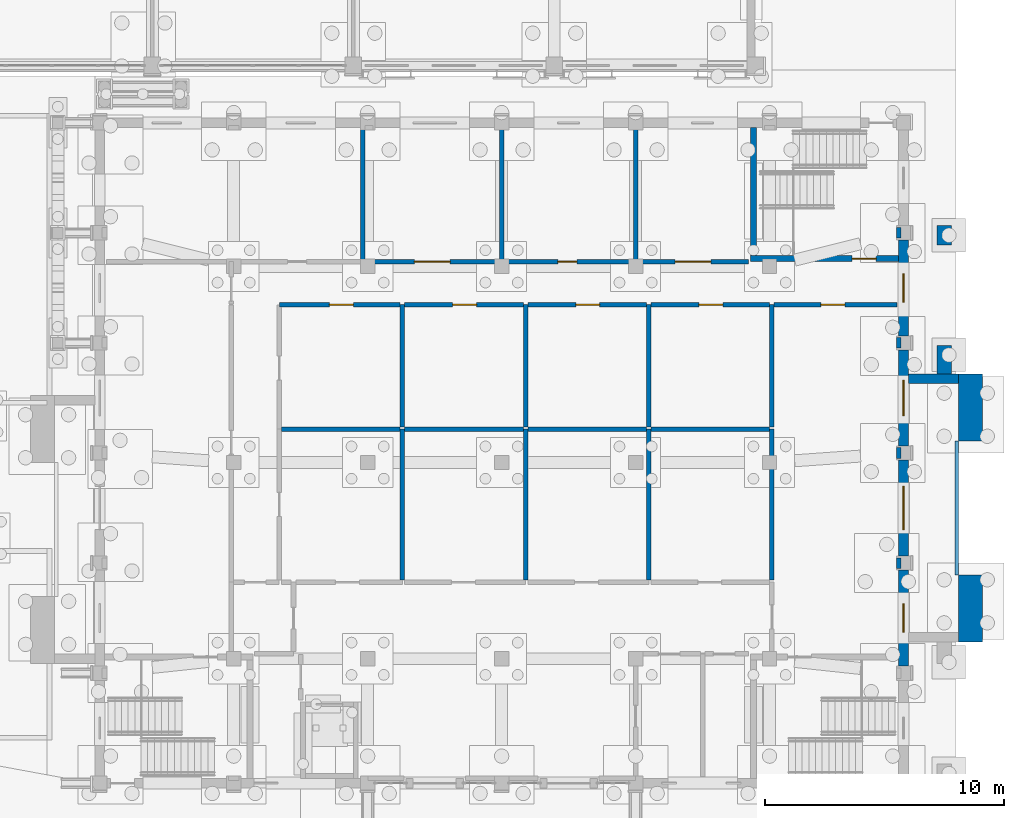
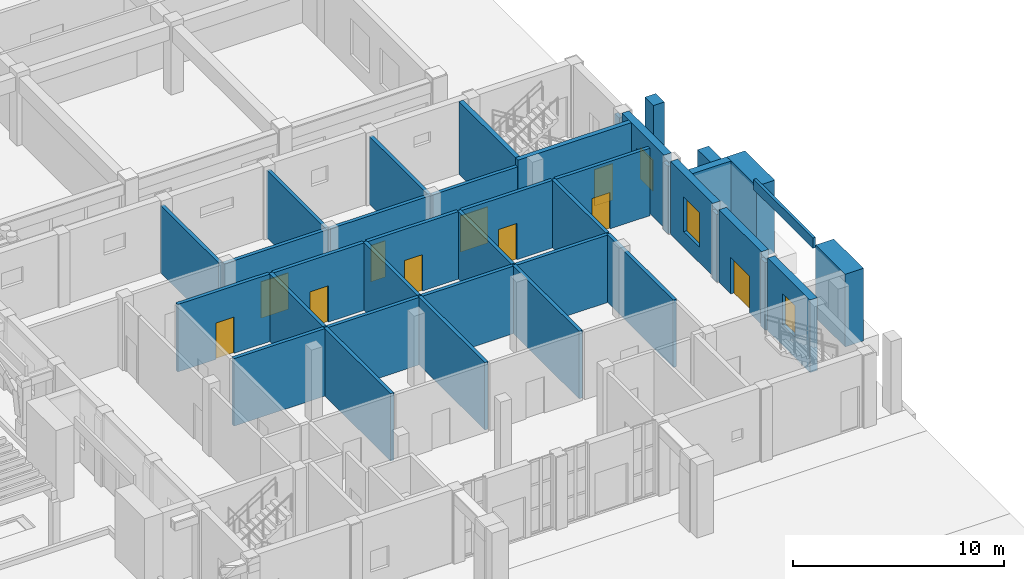
# One storey, part 76 of 112: 39 walls, 10 doors, 3 windows, 13 openings.
"""IFC4 building model written with IfcOpenShell, lengths in metres."""

from ifc_helpers import new_model, si_unit, direction, frame, frame_2d, origin, place, context, subcontext, project, spatial, rectangle, extrude, material, layer, layer_set, type_object, element, fill, save


model = new_model("IFC4")

# Units and contexts
model_context = context("Model", 3, precision=1e-05, world=origin(), true_north=direction((0.0, 1.0)))
body_context = subcontext(model_context, "Body", "Model", "MODEL_VIEW")
ifc_project = project(units=[si_unit("LENGTHUNIT", "METRE"), si_unit("AREAUNIT", "SQUARE_METRE"), si_unit("VOLUMEUNIT", "CUBIC_METRE"), si_unit("PLANEANGLEUNIT", "RADIAN"), si_unit("MASSUNIT", "GRAM", prefix="KILO")], contexts=[model_context])

# Site, building, storey
site_placement = place(None, origin())
site = spatial("IfcSite", under=ifc_project, at=site_placement, CompositionType="ELEMENT")
building_placement = place(site_placement, origin())
building = spatial("IfcBuilding", under=site, at=building_placement, Name="Wasatch Bagh Community Centre", CompositionType="ELEMENT")
storey_placement = place(building_placement, origin())
storey = spatial("IfcBuildingStorey", under=building, at=storey_placement, Name="L00", CompositionType="ELEMENT", Elevation=0.0)

# Walls
ifc_material_1 = material(Name="Concrete C35", Category="concrete")
ifc_layer_1 = layer(ifc_material_1, 0.14990234375)
ifc_layer_set_1 = layer_set([ifc_layer_1], Name="Concrete C35")
wall_type_1 = type_object("IfcWallType", Name="CL-W2", PredefinedType="PARAPET", material=ifc_layer_set_1)
wall_1_placement = place(storey_placement, frame((148.02490234375, 52.5, 4.050048828125), z_axis=(0.0, 0.0, 1.0), x_axis=(0.0, -1.0, 0.0)))
element("IfcWall", 1, at=wall_1_placement, inside=storey, type_object=wall_type_1, Name="CL-W2 porch parapet", PredefinedType="PARAPET", context=body_context, shape_type="SweptSolid", body=[
    extrude(rectangle(XDim=5.60009765625, YDim=0.14990234375, at=frame_2d((2.800048828125, 0.0))), origin(), (0.0, 0.0, 1.0), 0.599853515625),
])
ifc_material_2 = material(Name="Concrete C40", Category="concrete")
ifc_layer_2 = layer(ifc_material_2, 0.25)
ifc_layer_set_2 = layer_set([ifc_layer_2], Name="Concrete C40")
wall_type_2 = type_object("IfcWallType", Name="SH RC WALL 250 shear", PredefinedType="SHEAR", material=ifc_layer_set_2)
wall_2_placement = place(storey_placement, frame((139.52490234375, 60.25, 0.0), z_axis=(0.0, 0.0, 1.0), x_axis=(0.0, 1.0, 0.0)))
element("IfcWall", 2, at=wall_2_placement, inside=storey, type_object=wall_type_2, Name="SH.core.ST3.L00.W", PredefinedType="SHEAR", context=body_context, shape_type="SweptSolid", body=[
    extrude(rectangle(XDim=5.35009765625, YDim=0.25, at=frame_2d((2.675048828125, 0.0))), origin(), (0.0, 0.0, 1.0), 4.199951171875),
])

# Wall, opening, door
wall_3_placement = place(storey_placement, frame((139.39990234375, 60.125, 0.0), z_axis=(0.0, 0.0, 1.0), x_axis=(1.0, 0.0, 0.0)))
wall_3 = element("IfcWall", 3, at=wall_3_placement, inside=storey, type_object=wall_type_2, Name="SH.core.ST3.L00.S", PredefinedType="SHEAR", context=body_context, shape_type="SweptSolid", body=[
    extrude(rectangle(XDim=6.2001953125, YDim=0.25, at=frame_2d((3.10009765625, 0.0))), origin(), (0.0, 0.0, 1.0), 4.199951171875),
])
opening_1_placement = place(wall_3_placement, frame((4.25, 0.0, 0.0)))
opening_1 = element("IfcOpeningElement", 4, at=opening_1_placement, cuts=wall_3, Name="Opening 0S-28", PredefinedType="OPENING", context=body_context, shape_type="SweptSolid", body=[
    extrude(rectangle(XDim=1.0, YDim=2.10009765625, at=frame_2d((0.5, 1.050048828125))), frame((0.0, 0.135009765625, 0.0), z_axis=(0.0, -1.0, 0.0), x_axis=(1.0, 0.0, 0.0)), (0.0, 0.0, 1.0), 0.27001953125),
])
ifc_material_3 = material(Name="Painted hardwood timber", Category="wood")
door_type_1 = type_object("IfcDoorType", Name="SH door 1000x2100 single", OperationType="SINGLE_SWING_LEFT", PredefinedType="DOOR", material=ifc_material_3)
door_1_placement = place(opening_1_placement, origin())
door_1 = element("IfcDoor", 5, at=door_1_placement, inside=storey, type_object=door_type_1, Name="SH.door.L00.0S-28", OperationType="SINGLE_SWING_LEFT", OverallHeight=2.10009765625, OverallWidth=1.0, PredefinedType="DOOR", context=body_context, shape_type="SweptSolid", body=[
    extrude(rectangle(XDim=1.0, YDim=2.10009765625, at=frame_2d((0.5, 1.050048828125))), frame((0.0, 0.02490234375, 0.0), z_axis=(0.0, -1.0, 0.0), x_axis=(1.0, 0.0, 0.0)), (0.0, 0.0, 1.0), 0.050048828125),
])
fill(opening_1, door_1)

# Wall, opening, window
ifc_layer_3 = layer(ifc_material_2, 0.39990234375)
ifc_layer_set_3 = layer_set([ifc_layer_3], Name="Concrete C40")
wall_type_3 = type_object("IfcWallType", Name="SH RC WALL 400 solidwall", PredefinedType="SOLIDWALL", material=ifc_layer_set_3)
wall_4_placement = place(storey_placement, frame((145.800048828125, 43.10009765625, 0.0), z_axis=(0.0, 0.0, 1.0), x_axis=(0.0, 1.0, 0.0)))
wall_4 = element("IfcWall", 6, at=wall_4_placement, inside=storey, type_object=wall_type_3, Name="SH.wall.L00.20", PredefinedType="SOLIDWALL", context=body_context, shape_type="SweptSolid", body=[
    extrude(rectangle(XDim=4.0, YDim=0.39990234375, at=frame_2d((2.0, 0.0))), origin(), (0.0, 0.0, 1.0), 4.199951171875),
])
opening_2_placement = place(wall_4_placement, frame((1.39990234375, 0.0, 1.199951171875)))
opening_2 = element("IfcOpeningElement", 7, at=opening_2_placement, cuts=wall_4, Name="Opening 0S-W15", PredefinedType="OPENING", context=body_context, shape_type="SweptSolid", body=[
    extrude(rectangle(XDim=1.199951171875, YDim=1.800048828125, at=frame_2d((0.60009765625, 0.89990234375))), frame((0.0, 0.2099609375, 0.0), z_axis=(0.0, -1.0, 0.0), x_axis=(1.0, 0.0, 0.0)), (0.0, 0.0, 1.0), 0.419921875),
])
ifc_material_4 = material(Name="Aluminium frame with double glazing", Category="aluminium")
window_type_1 = type_object("IfcWindowType", Name="SH window 1200x1800", PartitioningType="SINGLE_PANEL", PredefinedType="WINDOW", material=ifc_material_4)
window_1_placement = place(opening_2_placement, origin())
window_1 = element("IfcWindow", 8, at=window_1_placement, inside=storey, type_object=window_type_1, Name="SH.window.L00.0S-W15", OverallHeight=1.800048828125, OverallWidth=1.199951171875, PartitioningType="SINGLE_PANEL", PredefinedType="WINDOW", context=body_context, shape_type="SweptSolid", body=[
    extrude(rectangle(XDim=1.199951171875, YDim=1.800048828125, at=frame_2d((0.60009765625, 0.89990234375))), frame((0.0, 0.030029296875, 0.0), z_axis=(0.0, -1.0, 0.0), x_axis=(1.0, 0.0, 0.0)), (0.0, 0.0, 1.0), 0.06005859375),
])
fill(opening_2, window_1)

# Wall, opening, door
wall_5_placement = place(storey_placement, frame((145.800048828125, 47.699951171875, 0.0), z_axis=(0.0, 0.0, 1.0), x_axis=(0.0, 1.0, 0.0)))
wall_5 = element("IfcWall", 9, at=wall_5_placement, inside=storey, type_object=wall_type_3, Name="SH.wall.L00.21", PredefinedType="SOLIDWALL", context=body_context, shape_type="SweptSolid", body=[
    extrude(rectangle(XDim=4.0, YDim=0.39990234375, at=frame_2d((2.0, 0.0))), origin(), (0.0, 0.0, 1.0), 4.199951171875),
])
opening_3_placement = place(wall_5_placement, frame((1.10009765625, 0.0, 0.0)))
opening_3 = element("IfcOpeningElement", 10, at=opening_3_placement, cuts=wall_5, Name="Opening 0S-07", PredefinedType="OPENING", context=body_context, shape_type="SweptSolid", body=[
    extrude(rectangle(XDim=1.800048828125, YDim=2.10009765625, at=frame_2d((0.89990234375, 1.050048828125))), frame((0.0, 0.2099609375, 0.0), z_axis=(0.0, -1.0, 0.0), x_axis=(1.0, 0.0, 0.0)), (0.0, 0.0, 1.0), 0.419921875),
])
ifc_material_5 = material(Name="Aluminium frame and glass", Category="aluminium")
door_type_2 = type_object("IfcDoorType", Name="SH door 1800x2100 double", OperationType="DOUBLE_DOOR_SINGLE_SWING", PredefinedType="DOOR", material=ifc_material_5)
door_2_placement = place(opening_3_placement, origin())
door_2 = element("IfcDoor", 11, at=door_2_placement, inside=storey, type_object=door_type_2, Name="SH.door.L00.0S-07", OperationType="DOUBLE_DOOR_SINGLE_SWING", OverallHeight=2.10009765625, OverallWidth=1.800048828125, PredefinedType="DOOR", context=body_context, shape_type="SweptSolid", body=[
    extrude(rectangle(XDim=1.800048828125, YDim=2.10009765625, at=frame_2d((0.89990234375, 1.050048828125))), frame((0.0, 0.02490234375, 0.0), z_axis=(0.0, -1.0, 0.0), x_axis=(1.0, 0.0, 0.0)), (0.0, 0.0, 1.0), 0.050048828125),
])
fill(opening_3, door_2)

# Wall, opening, window
wall_6_placement = place(storey_placement, frame((145.800048828125, 52.300048828125, 0.0), z_axis=(0.0, 0.0, 1.0), x_axis=(0.0, 1.0, 0.0)))
wall_6 = element("IfcWall", 12, at=wall_6_placement, inside=storey, type_object=wall_type_3, Name="SH.wall.L00.22", PredefinedType="SOLIDWALL", context=body_context, shape_type="SweptSolid", body=[
    extrude(rectangle(XDim=4.0, YDim=0.39990234375, at=frame_2d((2.0, 0.0))), origin(), (0.0, 0.0, 1.0), 4.199951171875),
])
opening_4_placement = place(wall_6_placement, frame((1.25, 0.0, 0.89990234375)))
opening_4 = element("IfcOpeningElement", 13, at=opening_4_placement, cuts=wall_6, Name="Opening 0S-W16", PredefinedType="OPENING", context=body_context, shape_type="SweptSolid", body=[
    extrude(rectangle(XDim=1.5, YDim=2.0, at=frame_2d((0.75, 1.0))), frame((0.0, 0.2099609375, 0.0), z_axis=(0.0, -1.0, 0.0), x_axis=(1.0, 0.0, 0.0)), (0.0, 0.0, 1.0), 0.419921875),
])
window_type_2 = type_object("IfcWindowType", Name="SH window 1500x2000", PartitioningType="SINGLE_PANEL", PredefinedType="WINDOW", material=ifc_material_4)
window_2_placement = place(opening_4_placement, origin())
window_2 = element("IfcWindow", 14, at=window_2_placement, inside=storey, type_object=window_type_2, Name="SH.window.L00.0S-W16", OverallHeight=2.0, OverallWidth=1.5, PartitioningType="SINGLE_PANEL", PredefinedType="WINDOW", context=body_context, shape_type="SweptSolid", body=[
    extrude(rectangle(XDim=1.5, YDim=2.0, at=frame_2d((0.75, 1.0))), frame((0.0, 0.030029296875, 0.0), z_axis=(0.0, -1.0, 0.0), x_axis=(1.0, 0.0, 0.0)), (0.0, 0.0, 1.0), 0.06005859375),
])
fill(opening_4, window_2)

wall_7_placement = place(storey_placement, frame((145.800048828125, 56.89990234375, 0.0), z_axis=(0.0, 0.0, 1.0), x_axis=(0.0, 1.0, 0.0)))
wall_7 = element("IfcWall", 15, at=wall_7_placement, inside=storey, type_object=wall_type_3, Name="SH.wall.L00.23", PredefinedType="SOLIDWALL", context=body_context, shape_type="SweptSolid", body=[
    extrude(rectangle(XDim=4.0, YDim=0.39990234375, at=frame_2d((2.0, 0.0))), origin(), (0.0, 0.0, 1.0), 4.199951171875),
])
opening_5_placement = place(wall_7_placement, frame((1.39990234375, 0.0, 1.199951171875)))
opening_5 = element("IfcOpeningElement", 16, at=opening_5_placement, cuts=wall_7, Name="Opening 0S-W17", PredefinedType="OPENING", context=body_context, shape_type="SweptSolid", body=[
    extrude(rectangle(XDim=1.199951171875, YDim=1.800048828125, at=frame_2d((0.60009765625, 0.89990234375))), frame((0.0, 0.2099609375, 0.0), z_axis=(0.0, -1.0, 0.0), x_axis=(1.0, 0.0, 0.0)), (0.0, 0.0, 1.0), 0.419921875),
])
window_3_placement = place(opening_5_placement, origin())
window_3 = element("IfcWindow", 17, at=window_3_placement, inside=storey, type_object=window_type_1, Name="SH.window.L00.0S-W17", OverallHeight=1.800048828125, OverallWidth=1.199951171875, PartitioningType="SINGLE_PANEL", PredefinedType="WINDOW", context=body_context, shape_type="SweptSolid", body=[
    extrude(rectangle(XDim=1.199951171875, YDim=1.800048828125, at=frame_2d((0.60009765625, 0.89990234375))), frame((0.0, 0.030029296875, 0.0), z_axis=(0.0, -1.0, 0.0), x_axis=(1.0, 0.0, 0.0)), (0.0, 0.0, 1.0), 0.06005859375),
])
fill(opening_5, window_3)

# Walls
ifc_material_6 = material(Name="Hollow block masonry, medium weight (ASTM Grade N)", Category="masonry")
ifc_layer_4 = layer(ifc_material_6, 0.18994140625)
ifc_layer_set_4 = layer_set([ifc_layer_4], Name="Hollow block masonry, medium weight (ASTM Grade N)")
wall_type_4 = type_object("IfcWallType", Name="SH partition 190", PredefinedType="PARTITIONING", material=ifc_layer_set_4)
wall_8_placement = place(storey_placement, frame((123.199951171875, 60.094970703125, 0.0), z_axis=(0.0, 0.0, 1.0), x_axis=(0.0, 1.0, 0.0)))
element("IfcWall", 18, at=wall_8_placement, inside=storey, type_object=wall_type_4, Name="SH.part.L00.020", PredefinedType="PARTITIONING", context=body_context, shape_type="SweptSolid", body=[
    extrude(rectangle(XDim=5.505126953125, YDim=0.18994140625, at=frame_2d((2.75244140625, 0.0))), origin(), (0.0, 0.0, 1.0), 3.89990234375),
])
wall_9_placement = place(storey_placement, frame((124.7548828125, 53.0, 0.0), z_axis=(0.0, 0.0, 1.0), x_axis=(-1.0, 0.0, 0.0)))
element("IfcWall", 19, at=wall_9_placement, inside=storey, type_object=wall_type_4, Name="SH.part.L00.023", PredefinedType="PARTITIONING", context=body_context, shape_type="SweptSolid", body=[
    extrude(rectangle(XDim=4.9599609375, YDim=0.18994140625, at=frame_2d((2.47998046875, 0.0))), origin(), (0.0, 0.0, 1.0), 3.89990234375),
])

# Wall, opening, door
wall_10_placement = place(storey_placement, frame((124.7548828125, 58.199951171875, 0.0), z_axis=(0.0, 0.0, 1.0), x_axis=(-1.0, 0.0, 0.0)))
wall_10 = element("IfcWall", 20, at=wall_10_placement, inside=storey, type_object=wall_type_4, Name="SH.part.L00.024", PredefinedType="PARTITIONING", context=body_context, shape_type="SweptSolid", body=[
    extrude(rectangle(XDim=5.034912109375, YDim=0.18994140625, at=frame_2d((2.517578125, 0.0))), origin(), (0.0, 0.0, 1.0), 3.89990234375),
])
opening_6_placement = place(wall_10_placement, frame((1.955078125, 0.0, 0.0)))
opening_6 = element("IfcOpeningElement", 21, at=opening_6_placement, cuts=wall_10, Name="Opening 0S-24", PredefinedType="OPENING", context=body_context, shape_type="SweptSolid", body=[
    extrude(rectangle(XDim=1.0, YDim=2.10009765625, at=frame_2d((0.5, 1.050048828125))), frame((0.0, 0.10498046875, 0.0), z_axis=(0.0, -1.0, 0.0), x_axis=(1.0, 0.0, 0.0)), (0.0, 0.0, 1.0), 0.2099609375),
])
door_3_placement = place(opening_6_placement, origin())
door_3 = element("IfcDoor", 22, at=door_3_placement, inside=storey, type_object=door_type_1, Name="SH.door.L00.0S-24", OperationType="SINGLE_SWING_LEFT", OverallHeight=2.10009765625, OverallWidth=1.0, PredefinedType="DOOR", context=body_context, shape_type="SweptSolid", body=[
    extrude(rectangle(XDim=1.0, YDim=2.10009765625, at=frame_2d((0.5, 1.050048828125))), frame((0.0, 0.02490234375, 0.0), z_axis=(0.0, -1.0, 0.0), x_axis=(1.0, 0.0, 0.0)), (0.0, 0.0, 1.0), 0.050048828125),
])
fill(opening_6, door_3)

# Walls
wall_11_placement = place(storey_placement, frame((124.85009765625, 46.695068359375, 0.0), z_axis=(0.0, 0.0, 1.0), x_axis=(0.0, 1.0, 0.0)))
element("IfcWall", 23, at=wall_11_placement, inside=storey, type_object=wall_type_4, Name="SH.part.L00.026", PredefinedType="PARTITIONING", context=body_context, shape_type="SweptSolid", body=[
    extrude(rectangle(XDim=6.304931640625, YDim=0.18994140625, at=frame_2d((3.15234375, 0.0))), origin(), (0.0, 0.0, 1.0), 3.89990234375),
])
wall_12_placement = place(storey_placement, frame((124.85009765625, 53.094970703125, 0.0), z_axis=(0.0, 0.0, 1.0), x_axis=(0.0, 1.0, 0.0)))
element("IfcWall", 24, at=wall_12_placement, inside=storey, type_object=wall_type_4, Name="SH.part.L00.027", PredefinedType="PARTITIONING", context=body_context, shape_type="SweptSolid", body=[
    extrude(rectangle(XDim=5.10498046875, YDim=0.18994140625, at=frame_2d((2.552490234375, 0.0))), origin(), (0.0, 0.0, 1.0), 3.89990234375),
])

# Wall, opening, door
wall_13_placement = place(storey_placement, frame((129.0, 60.0, 0.0), z_axis=(0.0, 0.0, 1.0), x_axis=(-1.0, 0.0, 0.0)))
wall_13 = element("IfcWall", 25, at=wall_13_placement, inside=storey, type_object=wall_type_4, Name="SH.part.L00.029", PredefinedType="PARTITIONING", context=body_context, shape_type="SweptSolid", body=[
    extrude(rectangle(XDim=5.705078125, YDim=0.18994140625, at=frame_2d((2.8525390625, 0.0))), origin(), (0.0, 0.0, 1.0), 3.89990234375),
])
opening_7_placement = place(wall_13_placement, frame((2.14990234375, 0.0, 0.0)))
opening_7 = element("IfcOpeningElement", 26, at=opening_7_placement, cuts=wall_13, Name="Opening 0S-33", PredefinedType="OPENING", context=body_context, shape_type="SweptSolid", body=[
    extrude(rectangle(XDim=1.5, YDim=2.10009765625, at=frame_2d((0.75, 1.050048828125))), frame((0.0, 0.10498046875, 0.0), z_axis=(0.0, -1.0, 0.0), x_axis=(1.0, 0.0, 0.0)), (0.0, 0.0, 1.0), 0.2099609375),
])
door_type_3 = type_object("IfcDoorType", Name="SH door 1500x2100 double", OperationType="DOUBLE_DOOR_SINGLE_SWING", PredefinedType="DOOR", material=ifc_material_5)
door_4_placement = place(opening_7_placement, origin())
door_4 = element("IfcDoor", 27, at=door_4_placement, inside=storey, type_object=door_type_3, Name="SH.door.L00.0S-33", OperationType="DOUBLE_DOOR_SINGLE_SWING", OverallHeight=2.10009765625, OverallWidth=1.5, PredefinedType="DOOR", context=body_context, shape_type="SweptSolid", body=[
    extrude(rectangle(XDim=1.5, YDim=2.10009765625, at=frame_2d((0.75, 1.050048828125))), frame((0.0, 0.02490234375, 0.0), z_axis=(0.0, -1.0, 0.0), x_axis=(1.0, 0.0, 0.0)), (0.0, 0.0, 1.0), 0.050048828125),
])
fill(opening_7, door_4)

# Walls
wall_14_placement = place(storey_placement, frame((129.0, 60.094970703125, 0.0), z_axis=(0.0, 0.0, 1.0), x_axis=(0.0, 1.0, 0.0)))
element("IfcWall", 28, at=wall_14_placement, inside=storey, type_object=wall_type_4, Name="SH.part.L00.030", PredefinedType="PARTITIONING", context=body_context, shape_type="SweptSolid", body=[
    extrude(rectangle(XDim=5.505126953125, YDim=0.18994140625, at=frame_2d((2.75244140625, 0.0))), origin(), (0.0, 0.0, 1.0), 3.89990234375),
])
wall_15_placement = place(storey_placement, frame((129.905029296875, 53.0, 0.0), z_axis=(0.0, 0.0, 1.0), x_axis=(-1.0, 0.0, 0.0)))
element("IfcWall", 29, at=wall_15_placement, inside=storey, type_object=wall_type_4, Name="SH.part.L00.031", PredefinedType="PARTITIONING", context=body_context, shape_type="SweptSolid", body=[
    extrude(rectangle(XDim=4.9599609375, YDim=0.18994140625, at=frame_2d((2.47998046875, 0.0))), origin(), (0.0, 0.0, 1.0), 3.89990234375),
])

# Wall, opening, door
wall_16_placement = place(storey_placement, frame((129.905029296875, 58.199951171875, 0.0), z_axis=(0.0, 0.0, 1.0), x_axis=(-1.0, 0.0, 0.0)))
wall_16 = element("IfcWall", 30, at=wall_16_placement, inside=storey, type_object=wall_type_4, Name="SH.part.L00.032", PredefinedType="PARTITIONING", context=body_context, shape_type="SweptSolid", body=[
    extrude(rectangle(XDim=4.9599609375, YDim=0.18994140625, at=frame_2d((2.47998046875, 0.0))), origin(), (0.0, 0.0, 1.0), 3.89990234375),
])
opening_8_placement = place(wall_16_placement, frame((1.955078125, 0.0, 0.0)))
opening_8 = element("IfcOpeningElement", 31, at=opening_8_placement, cuts=wall_16, Name="Opening 0S-25", PredefinedType="OPENING", context=body_context, shape_type="SweptSolid", body=[
    extrude(rectangle(XDim=1.0, YDim=2.10009765625, at=frame_2d((0.5, 1.050048828125))), frame((0.0, 0.10498046875, 0.0), z_axis=(0.0, -1.0, 0.0), x_axis=(1.0, 0.0, 0.0)), (0.0, 0.0, 1.0), 0.2099609375),
])
door_5_placement = place(opening_8_placement, origin())
door_5 = element("IfcDoor", 32, at=door_5_placement, inside=storey, type_object=door_type_1, Name="SH.door.L00.0S-25", OperationType="SINGLE_SWING_LEFT", OverallHeight=2.10009765625, OverallWidth=1.0, PredefinedType="DOOR", context=body_context, shape_type="SweptSolid", body=[
    extrude(rectangle(XDim=1.0, YDim=2.10009765625, at=frame_2d((0.5, 1.050048828125))), frame((0.0, 0.02490234375, 0.0), z_axis=(0.0, -1.0, 0.0), x_axis=(1.0, 0.0, 0.0)), (0.0, 0.0, 1.0), 0.050048828125),
])
fill(opening_8, door_5)

# Walls
wall_17_placement = place(storey_placement, frame((130.0, 46.695068359375, 0.0), z_axis=(0.0, 0.0, 1.0), x_axis=(0.0, 1.0, 0.0)))
element("IfcWall", 33, at=wall_17_placement, inside=storey, type_object=wall_type_4, Name="SH.part.L00.034", PredefinedType="PARTITIONING", context=body_context, shape_type="SweptSolid", body=[
    extrude(rectangle(XDim=6.304931640625, YDim=0.18994140625, at=frame_2d((3.15234375, 0.0))), origin(), (0.0, 0.0, 1.0), 3.89990234375),
])
wall_18_placement = place(storey_placement, frame((130.0, 53.094970703125, 0.0), z_axis=(0.0, 0.0, 1.0), x_axis=(0.0, 1.0, 0.0)))
element("IfcWall", 34, at=wall_18_placement, inside=storey, type_object=wall_type_4, Name="SH.part.L00.035", PredefinedType="PARTITIONING", context=body_context, shape_type="SweptSolid", body=[
    extrude(rectangle(XDim=5.10498046875, YDim=0.18994140625, at=frame_2d((2.552490234375, 0.0))), origin(), (0.0, 0.0, 1.0), 3.89990234375),
])

# Wall, opening, door
wall_19_placement = place(storey_placement, frame((134.60009765625, 60.0, 0.0), z_axis=(0.0, 0.0, 1.0), x_axis=(-1.0, 0.0, 0.0)))
wall_19 = element("IfcWall", 35, at=wall_19_placement, inside=storey, type_object=wall_type_4, Name="SH.part.L00.038", PredefinedType="PARTITIONING", context=body_context, shape_type="SweptSolid", body=[
    extrude(rectangle(XDim=5.505126953125, YDim=0.18994140625, at=frame_2d((2.75244140625, 0.0))), origin(), (0.0, 0.0, 1.0), 3.89990234375),
])
opening_9_placement = place(wall_19_placement, frame((2.449951171875, 0.0, 0.0)))
opening_9 = element("IfcOpeningElement", 36, at=opening_9_placement, cuts=wall_19, Name="Opening 0S-34", PredefinedType="OPENING", context=body_context, shape_type="SweptSolid", body=[
    extrude(rectangle(XDim=0.800048828125, YDim=2.10009765625, at=frame_2d((0.39990234375, 1.050048828125))), frame((0.0, 0.10498046875, 0.0), z_axis=(0.0, -1.0, 0.0), x_axis=(1.0, 0.0, 0.0)), (0.0, 0.0, 1.0), 0.2099609375),
])
door_type_4 = type_object("IfcDoorType", Name="SH door 800x2100 single", OperationType="SINGLE_SWING_LEFT", PredefinedType="DOOR", material=ifc_material_3)
door_6_placement = place(opening_9_placement, origin())
door_6 = element("IfcDoor", 37, at=door_6_placement, inside=storey, type_object=door_type_4, Name="SH.door.L00.0S-34", OperationType="SINGLE_SWING_LEFT", OverallHeight=2.10009765625, OverallWidth=0.800048828125, PredefinedType="DOOR", context=body_context, shape_type="SweptSolid", body=[
    extrude(rectangle(XDim=0.800048828125, YDim=2.10009765625, at=frame_2d((0.39990234375, 1.050048828125))), frame((0.0, 0.02490234375, 0.0), z_axis=(0.0, -1.0, 0.0), x_axis=(1.0, 0.0, 0.0)), (0.0, 0.0, 1.0), 0.050048828125),
])
fill(opening_9, door_6)

# Walls
wall_20_placement = place(storey_placement, frame((134.60009765625, 60.094970703125, 0.0), z_axis=(0.0, 0.0, 1.0), x_axis=(0.0, 1.0, 0.0)))
element("IfcWall", 38, at=wall_20_placement, inside=storey, type_object=wall_type_4, Name="SH.part.L00.039", PredefinedType="PARTITIONING", context=body_context, shape_type="SweptSolid", body=[
    extrude(rectangle(XDim=5.505126953125, YDim=0.18994140625, at=frame_2d((2.75244140625, 0.0))), origin(), (0.0, 0.0, 1.0), 3.89990234375),
])
wall_21_placement = place(storey_placement, frame((135.054931640625, 53.0, 0.0), z_axis=(0.0, 0.0, 1.0), x_axis=(-1.0, 0.0, 0.0)))
element("IfcWall", 39, at=wall_21_placement, inside=storey, type_object=wall_type_4, Name="SH.part.L00.040", PredefinedType="PARTITIONING", context=body_context, shape_type="SweptSolid", body=[
    extrude(rectangle(XDim=4.9599609375, YDim=0.18994140625, at=frame_2d((2.47998046875, 0.0))), origin(), (0.0, 0.0, 1.0), 3.89990234375),
])

# Wall, opening, door
wall_22_placement = place(storey_placement, frame((135.054931640625, 58.199951171875, 0.0), z_axis=(0.0, 0.0, 1.0), x_axis=(-1.0, 0.0, 0.0)))
wall_22 = element("IfcWall", 40, at=wall_22_placement, inside=storey, type_object=wall_type_4, Name="SH.part.L00.041", PredefinedType="PARTITIONING", context=body_context, shape_type="SweptSolid", body=[
    extrude(rectangle(XDim=4.9599609375, YDim=0.18994140625, at=frame_2d((2.47998046875, 0.0))), origin(), (0.0, 0.0, 1.0), 3.89990234375),
])
opening_10_placement = place(wall_22_placement, frame((1.955078125, 0.0, 0.0)))
opening_10 = element("IfcOpeningElement", 41, at=opening_10_placement, cuts=wall_22, Name="Opening 0S-26", PredefinedType="OPENING", context=body_context, shape_type="SweptSolid", body=[
    extrude(rectangle(XDim=1.0, YDim=2.10009765625, at=frame_2d((0.5, 1.050048828125))), frame((0.0, 0.10498046875, 0.0), z_axis=(0.0, -1.0, 0.0), x_axis=(1.0, 0.0, 0.0)), (0.0, 0.0, 1.0), 0.2099609375),
])
door_7_placement = place(opening_10_placement, origin())
door_7 = element("IfcDoor", 42, at=door_7_placement, inside=storey, type_object=door_type_1, Name="SH.door.L00.0S-26", OperationType="SINGLE_SWING_LEFT", OverallHeight=2.10009765625, OverallWidth=1.0, PredefinedType="DOOR", context=body_context, shape_type="SweptSolid", body=[
    extrude(rectangle(XDim=1.0, YDim=2.10009765625, at=frame_2d((0.5, 1.050048828125))), frame((0.0, 0.02490234375, 0.0), z_axis=(0.0, -1.0, 0.0), x_axis=(1.0, 0.0, 0.0)), (0.0, 0.0, 1.0), 0.050048828125),
])
fill(opening_10, door_7)

# Walls
wall_23_placement = place(storey_placement, frame((135.14990234375, 46.695068359375, 0.0), z_axis=(0.0, 0.0, 1.0), x_axis=(0.0, 1.0, 0.0)))
element("IfcWall", 43, at=wall_23_placement, inside=storey, type_object=wall_type_4, Name="SH.part.L00.043", PredefinedType="PARTITIONING", context=body_context, shape_type="SweptSolid", body=[
    extrude(rectangle(XDim=6.304931640625, YDim=0.18994140625, at=frame_2d((3.15234375, 0.0))), origin(), (0.0, 0.0, 1.0), 3.89990234375),
])
wall_24_placement = place(storey_placement, frame((135.14990234375, 53.094970703125, 0.0), z_axis=(0.0, 0.0, 1.0), x_axis=(0.0, 1.0, 0.0)))
element("IfcWall", 44, at=wall_24_placement, inside=storey, type_object=wall_type_4, Name="SH.part.L00.044", PredefinedType="PARTITIONING", context=body_context, shape_type="SweptSolid", body=[
    extrude(rectangle(XDim=5.10498046875, YDim=0.18994140625, at=frame_2d((2.552490234375, 0.0))), origin(), (0.0, 0.0, 1.0), 3.89990234375),
])

# Wall, opening, door
wall_25_placement = place(storey_placement, frame((139.320068359375, 60.0, 0.0), z_axis=(0.0, 0.0, 1.0), x_axis=(-1.0, 0.0, 0.0)))
wall_25 = element("IfcWall", 45, at=wall_25_placement, inside=storey, type_object=wall_type_4, Name="SH.part.L00.048", PredefinedType="PARTITIONING", context=body_context, shape_type="SweptSolid", body=[
    extrude(rectangle(XDim=4.625, YDim=0.18994140625, at=frame_2d((2.3125, 0.0))), origin(), (0.0, 0.0, 1.0), 3.89990234375),
])
opening_11_placement = place(wall_25_placement, frame((1.570068359375, 0.0, 0.0)))
opening_11 = element("IfcOpeningElement", 46, at=opening_11_placement, cuts=wall_25, Name="Opening 0S-35", PredefinedType="OPENING", context=body_context, shape_type="SweptSolid", body=[
    extrude(rectangle(XDim=1.5, YDim=2.10009765625, at=frame_2d((0.75, 1.050048828125))), frame((0.0, 0.10498046875, 0.0), z_axis=(0.0, -1.0, 0.0), x_axis=(1.0, 0.0, 0.0)), (0.0, 0.0, 1.0), 0.2099609375),
])
door_8_placement = place(opening_11_placement, origin())
door_8 = element("IfcDoor", 47, at=door_8_placement, inside=storey, type_object=door_type_3, Name="SH.door.L00.0S-35", OperationType="DOUBLE_DOOR_SINGLE_SWING", OverallHeight=2.10009765625, OverallWidth=1.5, PredefinedType="DOOR", context=body_context, shape_type="SweptSolid", body=[
    extrude(rectangle(XDim=1.5, YDim=2.10009765625, at=frame_2d((0.75, 1.050048828125))), frame((0.0, 0.02490234375, 0.0), z_axis=(0.0, -1.0, 0.0), x_axis=(1.0, 0.0, 0.0)), (0.0, 0.0, 1.0), 0.050048828125),
])
fill(opening_11, door_8)

# Wall
wall_26_placement = place(storey_placement, frame((140.205078125, 53.0, 0.0), z_axis=(0.0, 0.0, 1.0), x_axis=(-1.0, 0.0, 0.0)))
element("IfcWall", 48, at=wall_26_placement, inside=storey, type_object=wall_type_4, Name="SH.part.L00.051", PredefinedType="PARTITIONING", context=body_context, shape_type="SweptSolid", body=[
    extrude(rectangle(XDim=4.9599609375, YDim=0.18994140625, at=frame_2d((2.47998046875, 0.0))), origin(), (0.0, 0.0, 1.0), 3.89990234375),
])

# Wall, opening, door
wall_27_placement = place(storey_placement, frame((140.205078125, 58.199951171875, 0.0), z_axis=(0.0, 0.0, 1.0), x_axis=(-1.0, 0.0, 0.0)))
wall_27 = element("IfcWall", 49, at=wall_27_placement, inside=storey, type_object=wall_type_4, Name="SH.part.L00.052", PredefinedType="PARTITIONING", context=body_context, shape_type="SweptSolid", body=[
    extrude(rectangle(XDim=4.9599609375, YDim=0.18994140625, at=frame_2d((2.47998046875, 0.0))), origin(), (0.0, 0.0, 1.0), 3.89990234375),
])
opening_12_placement = place(wall_27_placement, frame((1.955078125, 0.0, 0.0)))
opening_12 = element("IfcOpeningElement", 50, at=opening_12_placement, cuts=wall_27, Name="Opening 0S-27", PredefinedType="OPENING", context=body_context, shape_type="SweptSolid", body=[
    extrude(rectangle(XDim=1.0, YDim=2.10009765625, at=frame_2d((0.5, 1.050048828125))), frame((0.0, 0.10498046875, 0.0), z_axis=(0.0, -1.0, 0.0), x_axis=(1.0, 0.0, 0.0)), (0.0, 0.0, 1.0), 0.2099609375),
])
door_9_placement = place(opening_12_placement, origin())
door_9 = element("IfcDoor", 51, at=door_9_placement, inside=storey, type_object=door_type_1, Name="SH.door.L00.0S-27", OperationType="SINGLE_SWING_LEFT", OverallHeight=2.10009765625, OverallWidth=1.0, PredefinedType="DOOR", context=body_context, shape_type="SweptSolid", body=[
    extrude(rectangle(XDim=1.0, YDim=2.10009765625, at=frame_2d((0.5, 1.050048828125))), frame((0.0, 0.02490234375, 0.0), z_axis=(0.0, -1.0, 0.0), x_axis=(1.0, 0.0, 0.0)), (0.0, 0.0, 1.0), 0.050048828125),
])
fill(opening_12, door_9)

# Walls
wall_28_placement = place(storey_placement, frame((140.300048828125, 46.695068359375, 0.0), z_axis=(0.0, 0.0, 1.0), x_axis=(0.0, 1.0, 0.0)))
element("IfcWall", 52, at=wall_28_placement, inside=storey, type_object=wall_type_4, Name="SH.part.L00.054", PredefinedType="PARTITIONING", context=body_context, shape_type="SweptSolid", body=[
    extrude(rectangle(XDim=6.304931640625, YDim=0.18994140625, at=frame_2d((3.15234375, 0.0))), origin(), (0.0, 0.0, 1.0), 3.89990234375),
])
wall_29_placement = place(storey_placement, frame((140.300048828125, 53.094970703125, 0.0), z_axis=(0.0, 0.0, 1.0), x_axis=(0.0, 1.0, 0.0)))
element("IfcWall", 53, at=wall_29_placement, inside=storey, type_object=wall_type_4, Name="SH.part.L00.055", PredefinedType="PARTITIONING", context=body_context, shape_type="SweptSolid", body=[
    extrude(rectangle(XDim=5.10498046875, YDim=0.18994140625, at=frame_2d((2.552490234375, 0.0))), origin(), (0.0, 0.0, 1.0), 3.89990234375),
])

# Wall, opening, door
wall_30_placement = place(storey_placement, frame((140.39501953125, 58.199951171875, 0.0), z_axis=(0.0, 0.0, 1.0), x_axis=(1.0, 0.0, 0.0)))
wall_30 = element("IfcWall", 54, at=wall_30_placement, inside=storey, type_object=wall_type_4, Name="SH.part.L00.056", PredefinedType="PARTITIONING", context=body_context, shape_type="SweptSolid", body=[
    extrude(rectangle(XDim=5.125, YDim=0.18994140625, at=frame_2d((2.5625, 0.0))), origin(), (0.0, 0.0, 1.0), 3.89990234375),
])
opening_13_placement = place(wall_30_placement, frame((1.955078125, 0.0, 0.0)))
opening_13 = element("IfcOpeningElement", 55, at=opening_13_placement, cuts=wall_30, Name="Opening 0S-31", PredefinedType="OPENING", context=body_context, shape_type="SweptSolid", body=[
    extrude(rectangle(XDim=1.0, YDim=2.10009765625, at=frame_2d((0.5, 1.050048828125))), frame((0.0, 0.10498046875, 0.0), z_axis=(0.0, -1.0, 0.0), x_axis=(1.0, 0.0, 0.0)), (0.0, 0.0, 1.0), 0.2099609375),
])
door_10_placement = place(opening_13_placement, origin())
door_10 = element("IfcDoor", 56, at=door_10_placement, inside=storey, type_object=door_type_1, Name="SH.door.L00.0S-31", OperationType="SINGLE_SWING_LEFT", OverallHeight=2.10009765625, OverallWidth=1.0, PredefinedType="DOOR", context=body_context, shape_type="SweptSolid", body=[
    extrude(rectangle(XDim=1.0, YDim=2.10009765625, at=frame_2d((0.5, 1.050048828125))), frame((0.0, 0.02490234375, 0.0), z_axis=(0.0, -1.0, 0.0), x_axis=(1.0, 0.0, 0.0)), (0.0, 0.0, 1.0), 0.050048828125),
])
fill(opening_13, door_10)

# Walls
wall_31_placement = place(storey_placement, frame((145.60009765625, 47.179931640625, 0.0), z_axis=(0.0, 0.0, 1.0), x_axis=(0.0, 1.0, 0.0)))
element("IfcWall", 57, at=wall_31_placement, inside=storey, type_object=wall_type_4, Name="SH.part.L00.059", PredefinedType="PARTITIONING", context=body_context, shape_type="SweptSolid", body=[
    extrude(rectangle(XDim=0.440185546875, YDim=0.18994140625, at=frame_2d((0.22021484375, 0.0))), origin(), (0.0, 0.0, 1.0), 3.89990234375),
])
wall_32_placement = place(storey_placement, frame((145.60009765625, 51.780029296875, 0.0), z_axis=(0.0, 0.0, 1.0), x_axis=(0.0, 1.0, 0.0)))
element("IfcWall", 58, at=wall_32_placement, inside=storey, type_object=wall_type_4, Name="SH.part.L00.060", PredefinedType="PARTITIONING", context=body_context, shape_type="SweptSolid", body=[
    extrude(rectangle(XDim=0.43994140625, YDim=0.18994140625, at=frame_2d((0.219970703125, 0.0))), origin(), (0.0, 0.0, 1.0), 3.89990234375),
])
wall_33_placement = place(storey_placement, frame((145.60009765625, 56.3798828125, 0.0), z_axis=(0.0, 0.0, 1.0), x_axis=(0.0, 1.0, 0.0)))
element("IfcWall", 59, at=wall_33_placement, inside=storey, type_object=wall_type_4, Name="SH.part.L00.061", PredefinedType="PARTITIONING", context=body_context, shape_type="SweptSolid", body=[
    extrude(rectangle(XDim=0.440185546875, YDim=0.18994140625, at=frame_2d((0.22021484375, 0.0))), origin(), (0.0, 0.0, 1.0), 3.89990234375),
])
wall_34_placement = place(storey_placement, frame((145.60009765625, 60.97998046875, 0.0), z_axis=(0.0, 0.0, 1.0), x_axis=(0.0, 1.0, 0.0)))
element("IfcWall", 60, at=wall_34_placement, inside=storey, type_object=wall_type_4, Name="SH.part.L00.062", PredefinedType="PARTITIONING", context=body_context, shape_type="SweptSolid", body=[
    extrude(rectangle(XDim=0.43994140625, YDim=0.18994140625, at=frame_2d((0.219970703125, 0.0))), origin(), (0.0, 0.0, 1.0), 3.89990234375),
])
ifc_layer_5 = layer(ifc_material_2, 0.60009765625)
ifc_layer_set_5 = layer_set([ifc_layer_5], Name="Concrete C40")
wall_type_5 = type_object("IfcWallType", Name="SHB-W4", PredefinedType="STANDARD", material=ifc_layer_set_5)
wall_35_placement = place(storey_placement, frame((147.5, 55.300048828125, 0.0), z_axis=(0.0, 0.0, 1.0), x_axis=(0.0, 1.0, 0.0)))
element("IfcWall", 61, at=wall_35_placement, inside=storey, type_object=wall_type_5, Name="SHB-W4 gable arcade bay pier panel", PredefinedType="STANDARD", context=body_context, shape_type="SweptSolid", body=[
    extrude(rectangle(XDim=1.199951171875, YDim=0.60009765625, at=frame_2d((0.60009765625, 0.0))), origin(), (0.0, 0.0, 1.0), 4.199951171875),
])
wall_36_placement = place(storey_placement, frame((147.5, 61.5, 0.0), z_axis=(0.0, 0.0, 1.0), x_axis=(0.0, -1.0, 0.0)))
element("IfcWall", 62, at=wall_36_placement, inside=storey, type_object=wall_type_5, Name="SHB-W4 gable arcade bay pier panel", PredefinedType="STANDARD", context=body_context, shape_type="SweptSolid", body=[
    extrude(rectangle(XDim=0.800048828125, YDim=0.60009765625, at=frame_2d((0.39990234375, 0.0))), origin(), (0.0, 0.0, 1.0), 4.199951171875),
])
ifc_layer_6 = layer(ifc_material_2, 0.39990234375)
ifc_layer_set_6 = layer_set([ifc_layer_6], Name="Concrete C40")
wall_type_6 = type_object("IfcWallType", Name="SHEQ-W5", PredefinedType="STANDARD", material=ifc_layer_set_6)
wall_37_placement = place(storey_placement, frame((148.10009765625, 55.10009765625, 0.0), z_axis=(0.0, 0.0, 1.0), x_axis=(-1.0, 0.0, 0.0)))
element("IfcWall", 63, at=wall_37_placement, inside=storey, type_object=wall_type_6, Name="SHEQ-W5 pishtaq return wall W", PredefinedType="STANDARD", context=body_context, shape_type="SweptSolid", body=[
    extrude(rectangle(XDim=2.10009765625, YDim=0.39990234375, at=frame_2d((1.050048828125, 0.0))), origin(), (0.0, 0.0, 1.0), 4.199951171875),
])
ifc_layer_7 = layer(ifc_material_2, 1.0)
ifc_layer_set_7 = layer_set([ifc_layer_7], Name="Concrete C40")
wall_type_7 = type_object("IfcWallType", Name="SHEQ-W6", PredefinedType="STANDARD", material=ifc_layer_set_7)
wall_38_placement = place(storey_placement, frame((148.60009765625, 55.300048828125, 0.0), z_axis=(0.0, 0.0, 1.0), x_axis=(0.0, -1.0, 0.0)))
element("IfcWall", 64, at=wall_38_placement, inside=storey, type_object=wall_type_7, Name="SHEQ-W6 iwan pier panel", PredefinedType="STANDARD", context=body_context, shape_type="SweptSolid", body=[
    extrude(rectangle(XDim=2.800048828125, YDim=1.0, at=frame_2d((1.39990234375, 0.0))), origin(), (0.0, 0.0, 1.0), 4.199951171875),
])
wall_39_placement = place(storey_placement, frame((148.60009765625, 44.10009765625, 0.0), z_axis=(0.0, 0.0, 1.0), x_axis=(0.0, 1.0, 0.0)))
element("IfcWall", 65, at=wall_39_placement, inside=storey, type_object=wall_type_7, Name="SHEQ-W6 iwan pier panel", PredefinedType="STANDARD", context=body_context, shape_type="SweptSolid", body=[
    extrude(rectangle(XDim=2.7998046875, YDim=1.0, at=frame_2d((1.39990234375, 0.0))), origin(), (0.0, 0.0, 1.0), 4.199951171875),
])

save(model, "model.ifc")
